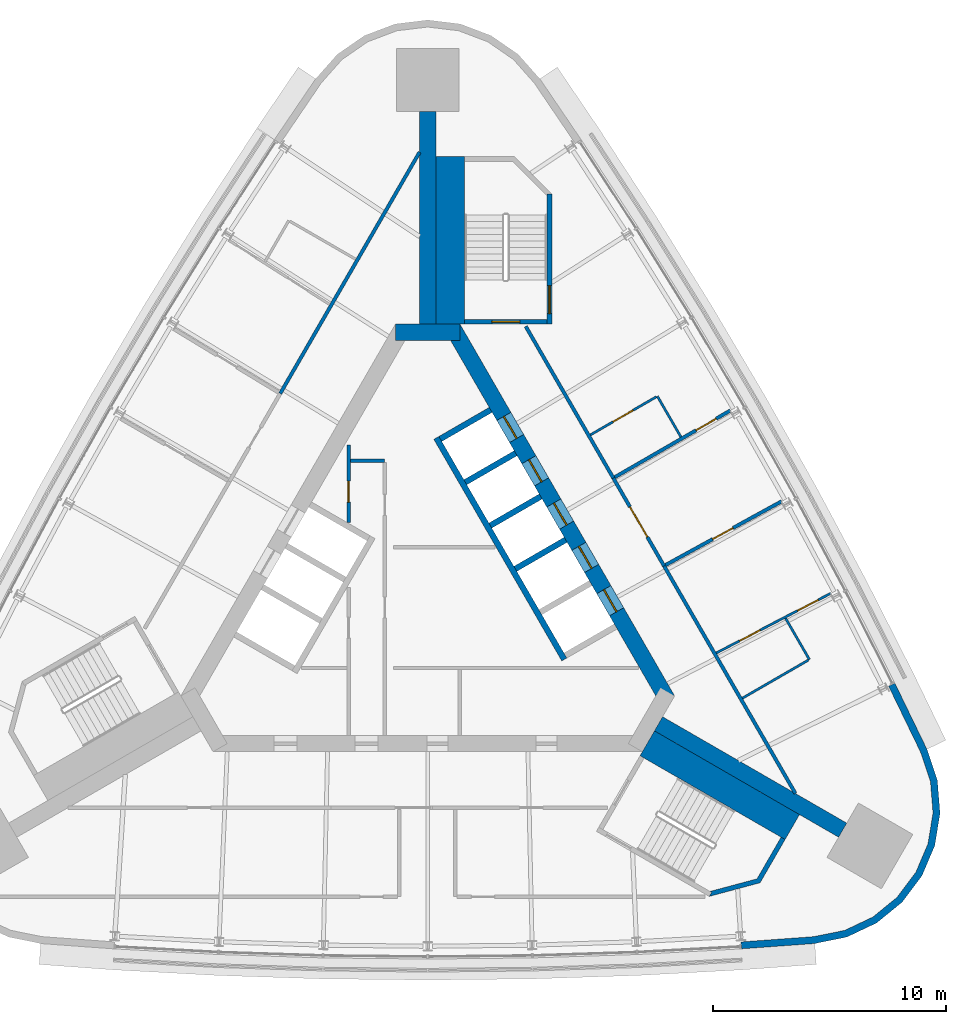
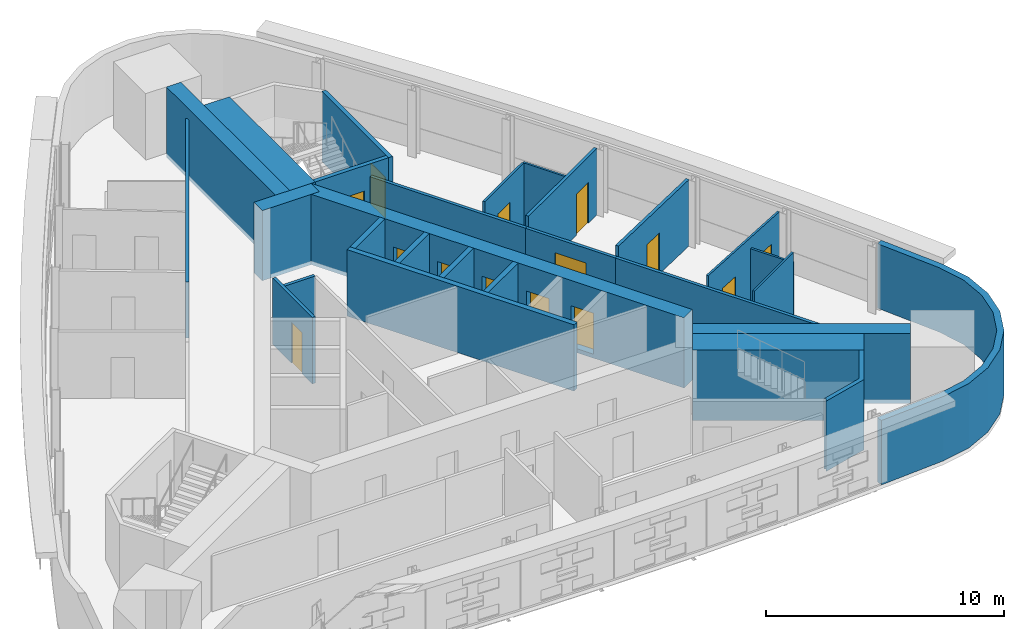
# One storey, part 8 of 10: 28 walls, 14 doors, 14 openings.
"""IFC4 building model written with IfcOpenShell, lengths in metres."""

from ifc_helpers import new_model, si_unit, direction, frame, frame_2d, origin, place, context, subcontext, project, spatial, polyline, rectangle, outline, extrude, material, layer, layer_set, type_object, element, fill, save


model = new_model("IFC4")

# Units and contexts
model_context = context("Model", 3, precision=1e-05, world=origin(), true_north=direction((0.0, 1.0)))
body_context = subcontext(model_context, "Body", "Model", "MODEL_VIEW")
ifc_project = project(units=[si_unit("LENGTHUNIT", "METRE"), si_unit("AREAUNIT", "SQUARE_METRE"), si_unit("VOLUMEUNIT", "CUBIC_METRE"), si_unit("PLANEANGLEUNIT", "RADIAN"), si_unit("MASSUNIT", "GRAM", prefix="KILO")], contexts=[model_context])

# Site, building, storey
site_placement = place(None, origin())
site = spatial("IfcSite", under=ifc_project, at=site_placement, CompositionType="ELEMENT")
building_placement = place(site_placement, origin())
building = spatial("IfcBuilding", under=site, at=building_placement, Name="Noor Cloister Tower", CompositionType="ELEMENT")
storey_placement = place(building_placement, frame((0.0, 0.0, 195.89990234375)))
storey = spatial("IfcBuildingStorey", under=building, at=storey_placement, Name="L50", CompositionType="ELEMENT", Elevation=195.89990234375)

# Walls
ifc_material_1 = material(Name="Concrete C70/85", Category="concrete")
ifc_layer_1 = layer(ifc_material_1, 0.699951171875)
ifc_layer_set_1 = layer_set([ifc_layer_1], Name="Buttress wall 700 C70/85")
wall_type_1 = type_object("IfcWallType", Name="Buttress wall 700 C70/85", PredefinedType="SHEAR", material=ifc_layer_set_1)
wall_1_placement = place(storey_placement, frame((0.0, 11.456298828125, -0.199951171875), z_axis=(0.0, 0.0, 1.0), x_axis=(0.0, 1.0, 0.0)))
element("IfcWall", 1, at=wall_1_placement, inside=storey, type_object=wall_type_1, Name="Buttress wall N L50", PredefinedType="SHEAR", context=body_context, shape_type="SweptSolid", body=[
    extrude(rectangle(XDim=9.144775390625, YDim=0.699951171875, at=frame_2d((4.572265625, 0.0))), origin(), (0.0, 0.0, 1.0), 3.60009765625),
])
wall_2_placement = place(storey_placement, frame((9.921630859375, -5.728271484375, -0.199951171875), z_axis=(0.0, 0.0, 1.0), x_axis=(0.866026421479, -0.499998237297, 0.0)))
element("IfcWall", 2, at=wall_2_placement, inside=storey, type_object=wall_type_1, Name="Buttress wall SE L50", PredefinedType="SHEAR", context=body_context, shape_type="SweptSolid", body=[
    extrude(rectangle(XDim=9.14453125, YDim=0.699951171875, at=frame_2d((4.572265625, 0.0))), origin(), (0.0, 0.0, 1.0), 3.60009765625),
])

# Wall, opening, door
ifc_material_2 = material(Name="Concrete C30/37", Category="concrete")
ifc_layer_2 = layer(ifc_material_2, 0.14990234375)
ifc_layer_set_2 = layer_set([ifc_layer_2], Name="Core partition 150 C30/37")
wall_type_2 = type_object("IfcWallType", Name="Core partition 150 C30/37", PredefinedType="PARTITIONING", material=ifc_layer_set_2)
wall_3_placement = place(storey_placement, frame((-3.40380859375, 6.260986328125, 0.0), z_axis=(0.0, 0.0, 1.0), x_axis=(0.0, -1.0, 0.0)))
wall_3 = element("IfcWall", 3, at=wall_3_placement, inside=storey, type_object=wall_type_2, Name="Core room partition L50 3", PredefinedType="PARTITIONING", context=body_context, shape_type="SweptSolid", body=[
    extrude(rectangle(XDim=3.3271484375, YDim=0.14990234375, at=frame_2d((1.66357421875, 0.0))), origin(), (0.0, 0.0, 1.0), 3.400146484375),
])
opening_1_placement = place(wall_3_placement, frame((1.55712890625, 0.0, 0.0)))
opening_1 = element("IfcOpeningElement", 4, at=opening_1_placement, cuts=wall_3, Name="Opening L50-907", PredefinedType="OPENING", context=body_context, shape_type="SweptSolid", body=[
    extrude(rectangle(XDim=0.89990234375, YDim=2.10009765625, at=frame_2d((0.449951171875, 1.050048828125))), frame((0.0, 0.0849609375, 0.0), z_axis=(0.0, -1.0, 0.0), x_axis=(1.0, 0.0, 0.0)), (0.0, 0.0, 1.0), 0.169921875),
])
ifc_material_3 = material(Name="Steel", Category="steel")
door_type_1 = type_object("IfcDoorType", Name="Core door 900 x 2100 FD120", OperationType="SINGLE_SWING_LEFT", PredefinedType="DOOR", material=ifc_material_3)
door_1_placement = place(opening_1_placement, origin())
door_1 = element("IfcDoor", 5, at=door_1_placement, inside=storey, type_object=door_type_1, Name="Core door 7 L50", OperationType="SINGLE_SWING_LEFT", OverallHeight=2.10009765625, OverallWidth=0.89990234375, PredefinedType="DOOR", context=body_context, shape_type="SweptSolid", body=[
    extrude(rectangle(XDim=0.89990234375, YDim=2.10009765625, at=frame_2d((0.449951171875, 1.050048828125))), frame((0.0, 0.02490234375, 0.0), z_axis=(0.0, -1.0, 0.0), x_axis=(1.0, 0.0, 0.0)), (0.0, 0.0, 1.0), 0.050048828125),
])
fill(opening_1, door_1)

# Wall
wall_4_placement = place(storey_placement, frame((-3.32861328125, 5.57177734375, 0.0), z_axis=(0.0, 0.0, 1.0), x_axis=(1.0, 0.0, 0.0)))
element("IfcWall", 6, at=wall_4_placement, inside=storey, type_object=wall_type_2, Name="Core room partition L50 4", PredefinedType="PARTITIONING", context=body_context, shape_type="SweptSolid", body=[
    extrude(rectangle(XDim=1.474853515625, YDim=0.14990234375, at=frame_2d((0.7373046875, 0.0))), origin(), (0.0, 0.0, 1.0), 3.400146484375),
])

# Wall, openings, doors
ifc_material_4 = material(Name="Concrete C70/85", Category="concrete")
ifc_layer_3 = layer(ifc_material_4, 0.699951171875)
ifc_layer_set_3 = layer_set([ifc_layer_3], Name="Core wall 700 C70/85")
wall_type_3 = type_object("IfcWallType", Name="Core wall 700 C70/85", PredefinedType="SHEAR", material=ifc_layer_set_3)
wall_5_placement = place(storey_placement, frame((10.311279296875, -4.703125, -0.199951171875), z_axis=(0.0, 0.0, 1.0), x_axis=(-0.500001446645, 0.866024568562, 0.0)))
wall_5 = element("IfcWall", 7, at=wall_5_placement, inside=storey, type_object=wall_type_3, Name="Core wall L50 3", PredefinedType="SHEAR", context=body_context, shape_type="SweptSolid", body=[
    extrude(rectangle(XDim=18.45751953125, YDim=0.699951171875, at=frame_2d((9.228759765625, 0.0))), origin(), (0.0, 0.0, 1.0), 3.60009765625),
])
opening_2_placement = place(wall_5_placement, frame((4.378662109375, 0.0, 0.199951171875)))
opening_2 = element("IfcOpeningElement", 8, at=opening_2_placement, cuts=wall_5, Name="Opening L50-HR1", PredefinedType="OPENING", context=body_context, shape_type="SweptSolid", body=[
    extrude(rectangle(XDim=1.10009765625, YDim=2.10009765625, at=frame_2d((0.550048828125, 1.050048828125))), frame((0.0, 0.35986328125, 0.0), z_axis=(0.0, -1.0, 0.0), x_axis=(1.0, 0.0, 0.0)), (0.0, 0.0, 1.0), 0.719970703125),
])
opening_3_placement = place(wall_5_placement, frame((6.52880859375, 0.0, 0.199951171875)))
opening_3 = element("IfcOpeningElement", 9, at=opening_3_placement, cuts=wall_5, Name="Opening L50-HR2", PredefinedType="OPENING", context=body_context, shape_type="SweptSolid", body=[
    extrude(rectangle(XDim=1.10009765625, YDim=2.10009765625, at=frame_2d((0.550048828125, 1.050048828125))), frame((0.0, 0.35986328125, 0.0), z_axis=(0.0, -1.0, 0.0), x_axis=(1.0, 0.0, 0.0)), (0.0, 0.0, 1.0), 0.719970703125),
])
opening_4_placement = place(wall_5_placement, frame((8.6787109375, 0.0, 0.199951171875)))
opening_4 = element("IfcOpeningElement", 10, at=opening_4_placement, cuts=wall_5, Name="Opening L50-HR3", PredefinedType="OPENING", context=body_context, shape_type="SweptSolid", body=[
    extrude(rectangle(XDim=1.10009765625, YDim=2.10009765625, at=frame_2d((0.550048828125, 1.050048828125))), frame((0.0, 0.35986328125, 0.0), z_axis=(0.0, -1.0, 0.0), x_axis=(1.0, 0.0, 0.0)), (0.0, 0.0, 1.0), 0.719970703125),
])
opening_5_placement = place(wall_5_placement, frame((10.82861328125, 0.0, 0.199951171875)))
opening_5 = element("IfcOpeningElement", 11, at=opening_5_placement, cuts=wall_5, Name="Opening L50-HR4", PredefinedType="OPENING", context=body_context, shape_type="SweptSolid", body=[
    extrude(rectangle(XDim=1.10009765625, YDim=2.10009765625, at=frame_2d((0.550048828125, 1.050048828125))), frame((0.0, 0.35986328125, 0.0), z_axis=(0.0, -1.0, 0.0), x_axis=(1.0, 0.0, 0.0)), (0.0, 0.0, 1.0), 0.719970703125),
])
opening_6_placement = place(wall_5_placement, frame((12.978759765625, 0.0, 0.199951171875)))
opening_6 = element("IfcOpeningElement", 12, at=opening_6_placement, cuts=wall_5, Name="Opening L50-HR5", PredefinedType="OPENING", context=body_context, shape_type="SweptSolid", body=[
    extrude(rectangle(XDim=1.10009765625, YDim=2.10009765625, at=frame_2d((0.550048828125, 1.050048828125))), frame((0.0, 0.35986328125, 0.0), z_axis=(0.0, -1.0, 0.0), x_axis=(1.0, 0.0, 0.0)), (0.0, 0.0, 1.0), 0.719970703125),
])
ifc_material_5 = material(Name="Stainless steel", Category="steel")
door_type_2 = type_object("IfcDoorType", Name="Lift landing door 1100 x 2100", OperationType="DOUBLE_DOOR_SLIDING", PredefinedType="DOOR", material=ifc_material_5)
door_2_placement = place(opening_2_placement, origin())
door_2 = element("IfcDoor", 13, at=door_2_placement, inside=storey, type_object=door_type_2, Name="Landing door HR1 L50", OperationType="DOUBLE_DOOR_SLIDING", OverallHeight=2.10009765625, OverallWidth=1.10009765625, PredefinedType="DOOR", context=body_context, shape_type="SweptSolid", body=[
    extrude(rectangle(XDim=1.10009765625, YDim=2.10009765625, at=frame_2d((0.550048828125, 1.050048828125))), frame((0.0, 0.02490234375, 0.0), z_axis=(0.0, -1.0, 0.0), x_axis=(1.0, 0.0, 0.0)), (0.0, 0.0, 1.0), 0.050048828125),
])
fill(opening_2, door_2)
door_3_placement = place(opening_3_placement, origin())
door_3 = element("IfcDoor", 14, at=door_3_placement, inside=storey, type_object=door_type_2, Name="Landing door HR2 L50", OperationType="DOUBLE_DOOR_SLIDING", OverallHeight=2.10009765625, OverallWidth=1.10009765625, PredefinedType="DOOR", context=body_context, shape_type="SweptSolid", body=[
    extrude(rectangle(XDim=1.10009765625, YDim=2.10009765625, at=frame_2d((0.550048828125, 1.050048828125))), frame((0.0, 0.02490234375, 0.0), z_axis=(0.0, -1.0, 0.0), x_axis=(1.0, 0.0, 0.0)), (0.0, 0.0, 1.0), 0.050048828125),
])
fill(opening_3, door_3)
door_4_placement = place(opening_4_placement, origin())
door_4 = element("IfcDoor", 15, at=door_4_placement, inside=storey, type_object=door_type_2, Name="Landing door HR3 L50", OperationType="DOUBLE_DOOR_SLIDING", OverallHeight=2.10009765625, OverallWidth=1.10009765625, PredefinedType="DOOR", context=body_context, shape_type="SweptSolid", body=[
    extrude(rectangle(XDim=1.10009765625, YDim=2.10009765625, at=frame_2d((0.550048828125, 1.050048828125))), frame((0.0, 0.02490234375, 0.0), z_axis=(0.0, -1.0, 0.0), x_axis=(1.0, 0.0, 0.0)), (0.0, 0.0, 1.0), 0.050048828125),
])
fill(opening_4, door_4)
door_5_placement = place(opening_5_placement, origin())
door_5 = element("IfcDoor", 16, at=door_5_placement, inside=storey, type_object=door_type_2, Name="Landing door HR4 L50", OperationType="DOUBLE_DOOR_SLIDING", OverallHeight=2.10009765625, OverallWidth=1.10009765625, PredefinedType="DOOR", context=body_context, shape_type="SweptSolid", body=[
    extrude(rectangle(XDim=1.10009765625, YDim=2.10009765625, at=frame_2d((0.550048828125, 1.050048828125))), frame((0.0, 0.02490234375, 0.0), z_axis=(0.0, -1.0, 0.0), x_axis=(1.0, 0.0, 0.0)), (0.0, 0.0, 1.0), 0.050048828125),
])
fill(opening_5, door_5)
door_6_placement = place(opening_6_placement, origin())
door_6 = element("IfcDoor", 17, at=door_6_placement, inside=storey, type_object=door_type_2, Name="Landing door HR5 L50", OperationType="DOUBLE_DOOR_SLIDING", OverallHeight=2.10009765625, OverallWidth=1.10009765625, PredefinedType="DOOR", context=body_context, shape_type="SweptSolid", body=[
    extrude(rectangle(XDim=1.10009765625, YDim=2.10009765625, at=frame_2d((0.550048828125, 1.050048828125))), frame((0.0, 0.02490234375, 0.0), z_axis=(0.0, -1.0, 0.0), x_axis=(1.0, 0.0, 0.0)), (0.0, 0.0, 1.0), 0.050048828125),
])
fill(opening_6, door_6)

# Walls
wall_6_placement = place(storey_placement, frame((1.3857421875, 11.1064453125, -0.199951171875), z_axis=(0.0, 0.0, 1.0), x_axis=(-1.0, 0.0, 0.0)))
element("IfcWall", 18, at=wall_6_placement, inside=storey, type_object=wall_type_3, Name="Core wall L50 4", PredefinedType="SHEAR", context=body_context, shape_type="SweptSolid", body=[
    extrude(rectangle(XDim=2.771484375, YDim=0.699951171875, at=frame_2d((1.3857421875, 0.0))), origin(), (0.0, 0.0, 1.0), 3.60009765625),
])
ifc_material_6 = material(Name="Fire-rated gypsum board partition on steel studs, 150 mm", Category="steel")
ifc_layer_4 = layer(ifc_material_6, 0.14990234375)
ifc_layer_set_4 = layer_set([ifc_layer_4], Name="Fire lobby wall 150")
wall_type_4 = type_object("IfcWallType", Name="Fire lobby wall 150", PredefinedType="PARTITIONING", material=ifc_layer_set_4)
wall_7_placement = place(storey_placement, frame((-0.35009765625, 18.85009765625, 0.0), z_axis=(0.0, 0.0, 1.0), x_axis=(-0.500000553364, -0.866025084299, 0.0)))
element("IfcWall", 19, at=wall_7_placement, inside=storey, type_object=wall_type_4, Name="Wall L50-W18", PredefinedType="PARTITIONING", context=body_context, shape_type="SweptSolid", body=[
    extrude(rectangle(XDim=11.9814453125, YDim=0.14990234375, at=frame_2d((5.99072265625, 0.0))), origin(), (0.0, 0.0, 1.0), 2.85205078125),
])
ifc_material_7 = material(Name="Gypsum board partition on steel studs, 150 mm", Category="steel")
ifc_layer_5 = layer(ifc_material_7, 0.14990234375)
ifc_layer_set_5 = layer_set([ifc_layer_5], Name="Flat wall 150")
wall_type_5 = type_object("IfcWallType", Name="Flat wall 150", PredefinedType="PARTITIONING", material=ifc_layer_set_5)
wall_8_placement = place(storey_placement, frame((15.806884765625, -8.721923828125, 0.0), z_axis=(0.0, 0.0, 1.0), x_axis=(-0.500004300164, 0.866022921069, 0.0)))
element("IfcWall", 20, at=wall_8_placement, inside=storey, type_object=wall_type_5, Name="Wall L50-W01", PredefinedType="PARTITIONING", context=body_context, shape_type="SweptSolid", body=[
    extrude(rectangle(XDim=11.29736328125, YDim=0.14990234375, at=frame_2d((5.648681640625, 0.0))), origin(), (0.0, 0.0, 1.0), 2.85205078125),
])
wall_9_placement = place(storey_placement, frame((7.978515625, 4.83740234375, 0.0), z_axis=(0.0, 0.0, 1.0), x_axis=(-0.500014427086, 0.866017074142, 0.0)))
element("IfcWall", 21, at=wall_9_placement, inside=storey, type_object=wall_type_5, Name="Wall L50-W02", PredefinedType="PARTITIONING", context=body_context, shape_type="SweptSolid", body=[
    extrude(rectangle(XDim=7.527587890625, YDim=0.14990234375, at=frame_2d((3.763671875, 0.0))), origin(), (0.0, 0.0, 1.0), 2.85205078125),
])

# Wall, opening, door
wall_10_placement = place(storey_placement, frame((15.215576171875, 3.83740234375, 0.0), z_axis=(0.0, 0.0, 1.0), x_axis=(-0.876645576733, -0.48113670905, 0.0)))
wall_10 = element("IfcWall", 22, at=wall_10_placement, inside=storey, type_object=wall_type_5, Name="Wall L50-W03", PredefinedType="PARTITIONING", context=body_context, shape_type="SweptSolid", body=[
    extrude(rectangle(XDim=5.69384765625, YDim=0.14990234375, at=frame_2d((2.846923828125, 0.0))), origin(), (0.0, 0.0, 1.0), 3.400146484375),
])
opening_7_placement = place(wall_10_placement, frame((2.384521484375, 0.0, 0.0)))
opening_7 = element("IfcOpeningElement", 23, at=opening_7_placement, cuts=wall_10, Name="Opening L50-004", PredefinedType="OPENING", context=body_context, shape_type="SweptSolid", body=[
    extrude(rectangle(XDim=1.0, YDim=2.10009765625, at=frame_2d((0.5, 1.050048828125))), frame((0.0, 0.0849609375, 0.0), z_axis=(0.0, -1.0, 0.0), x_axis=(1.0, 0.0, 0.0)), (0.0, 0.0, 1.0), 0.169921875),
])
ifc_material_8 = material(Name="Timber door leaf with steel frame", Category="steel")
door_type_3 = type_object("IfcDoorType", Name="Flat entrance door 1000", OperationType="NOTDEFINED", PredefinedType="DOOR", material=ifc_material_8)
door_7_placement = place(opening_7_placement, origin())
door_7 = element("IfcDoor", 24, at=door_7_placement, inside=storey, type_object=door_type_3, Name="Door L50-004", OperationType="SINGLE_SWING_RIGHT", OverallHeight=2.10009765625, OverallWidth=1.0, PredefinedType="DOOR", context=body_context, shape_type="SweptSolid", body=[
    extrude(rectangle(XDim=1.0, YDim=2.10009765625, at=frame_2d((0.5, 1.050048828125))), frame((0.0, 0.02490234375, 0.0), z_axis=(0.0, -1.0, 0.0), x_axis=(1.0, 0.0, 0.0)), (0.0, 0.0, 1.0), 0.050048828125),
])
fill(opening_7, door_7)

wall_11_placement = place(storey_placement, frame((13.01171875, 7.7431640625, 0.0), z_axis=(0.0, 0.0, 1.0), x_axis=(-0.866026840724, -0.499997511139, 0.0)))
wall_11 = element("IfcWall", 25, at=wall_11_placement, inside=storey, type_object=wall_type_5, Name="Wall L50-W04", PredefinedType="PARTITIONING", context=body_context, shape_type="SweptSolid", body=[
    extrude(rectangle(XDim=5.73681640625, YDim=0.14990234375, at=frame_2d((2.868408203125, 0.0))), origin(), (0.0, 0.0, 1.0), 3.400146484375),
])
opening_8_placement = place(wall_11_placement, frame((0.705810546875, 0.0, 0.0)))
opening_8 = element("IfcOpeningElement", 26, at=opening_8_placement, cuts=wall_11, Name="Opening L50-006", PredefinedType="OPENING", context=body_context, shape_type="SweptSolid", body=[
    extrude(rectangle(XDim=1.0, YDim=2.10009765625, at=frame_2d((0.5, 1.050048828125))), frame((0.0, 0.0849609375, 0.0), z_axis=(0.0, -1.0, 0.0), x_axis=(1.0, 0.0, 0.0)), (0.0, 0.0, 1.0), 0.169921875),
])
door_8_placement = place(opening_8_placement, origin())
door_8 = element("IfcDoor", 27, at=door_8_placement, inside=storey, type_object=door_type_3, Name="Door L50-006", OperationType="SINGLE_SWING_RIGHT", OverallHeight=2.10009765625, OverallWidth=1.0, PredefinedType="DOOR", context=body_context, shape_type="SweptSolid", body=[
    extrude(rectangle(XDim=1.0, YDim=2.10009765625, at=frame_2d((0.5, 1.050048828125))), frame((0.0, 0.02490234375, 0.0), z_axis=(0.0, -1.0, 0.0), x_axis=(1.0, 0.0, 0.0)), (0.0, 0.0, 1.0), 0.050048828125),
])
fill(opening_8, door_8)

wall_12_placement = place(storey_placement, frame((10.158203125, 1.061767578125, 0.0), z_axis=(0.0, 0.0, 1.0), x_axis=(-0.499969679245, 0.866042908773, 0.0)))
wall_12 = element("IfcWall", 28, at=wall_12_placement, inside=storey, type_object=wall_type_5, Name="Wall L50-W05", PredefinedType="PARTITIONING", context=body_context, shape_type="SweptSolid", body=[
    extrude(rectangle(XDim=4.359619140625, YDim=0.14990234375, at=frame_2d((2.1796875, 0.0))), origin(), (0.0, 0.0, 1.0), 2.85205078125),
])
opening_9_placement = place(wall_12_placement, frame((1.429931640625, 0.0, 0.0)))
opening_9 = element("IfcOpeningElement", 29, at=opening_9_placement, cuts=wall_12, Name="Opening L50-001", PredefinedType="OPENING", context=body_context, shape_type="SweptSolid", body=[
    extrude(rectangle(XDim=1.5, YDim=2.10009765625, at=frame_2d((0.75, 1.050048828125))), frame((0.0, 0.0849609375, 0.0), z_axis=(0.0, -1.0, 0.0), x_axis=(1.0, 0.0, 0.0)), (0.0, 0.0, 1.0), 0.169921875),
])
ifc_material_9 = material(Name="Timber door leaf with steel frame", Category="steel")
door_type_4 = type_object("IfcDoorType", Name="Double door 1500 FD60", OperationType="NOTDEFINED", PredefinedType="DOOR", material=ifc_material_9)
door_9_placement = place(opening_9_placement, origin())
door_9 = element("IfcDoor", 30, at=door_9_placement, inside=storey, type_object=door_type_4, Name="Door L50-001", OperationType="DOUBLE_DOOR_SINGLE_SWING", OverallHeight=2.10009765625, OverallWidth=1.5, PredefinedType="DOOR", context=body_context, shape_type="SweptSolid", body=[
    extrude(rectangle(XDim=1.5, YDim=2.10009765625, at=frame_2d((0.75, 1.050048828125))), frame((0.0, 0.02490234375, 0.0), z_axis=(0.0, -1.0, 0.0), x_axis=(1.0, 0.0, 0.0)), (0.0, 0.0, 1.0), 0.050048828125),
])
fill(opening_9, door_9)

# Wall
ifc_material_10 = material(Name="Limestone", Category="masonry")
ifc_layer_6 = layer(ifc_material_10, 0.300048828125)
ifc_layer_set_6 = layer_set([ifc_layer_6], Name="Limestone cladding 300")
wall_type_6 = type_object("IfcWallType", Name="Limestone cladding 300", PredefinedType="NOTDEFINED", material=ifc_layer_set_6)
wall_13_placement = place(storey_placement, origin())
element("IfcWall", 31, at=wall_13_placement, inside=storey, type_object=wall_type_6, Name="Limestone pier cladding L50 2.1", PredefinedType="NOTDEFINED", context=body_context, shape_type="SweptSolid", body=[
    extrude(outline(polyline([(13.490478515625, -15.404052734375), (16.640869140625, -15.17529296875), (18.025146484375, -14.893310546875), (19.301513671875, -14.2880859375), (20.39599609375, -13.394775390625), (21.24462890625, -12.265625), (21.798095703125, -10.966064453125), (22.024658203125, -9.571533203125), (21.910400390625, -8.16357421875), (21.462646484375, -6.823974609375), (20.085693359375, -3.98095703125), (19.815673828125, -4.11181640625), (21.184326171875, -6.937255859375), (21.614501953125, -8.22412109375), (21.72265625, -9.5595703125), (21.5078125, -10.8818359375), (20.98291015625, -12.114501953125), (20.177978515625, -13.185546875), (19.14013671875, -14.032470703125), (17.929443359375, -14.6064453125), (16.60009765625, -14.87744140625), (13.46875, -15.10498046875), (13.490478515625, -15.404052734375)])), origin(), (0.0, 0.0, 1.0), 3.300048828125),
])

# Wall, openings, doors
ifc_material_11 = material(Name="Gypsum board partition on steel studs, 100 mm", Category="steel")
ifc_layer_7 = layer(ifc_material_11, 0.10009765625)
ifc_layer_set_7 = layer_set([ifc_layer_7], Name="Partition 100")
wall_type_7 = type_object("IfcWallType", Name="Partition 100", PredefinedType="PARTITIONING", material=ifc_layer_set_7)
wall_14_placement = place(storey_placement, frame((17.33447265625, -0.115234375, 0.0), z_axis=(0.0, 0.0, 1.0), x_axis=(-0.886851071155, -0.462055383684, 0.0)))
wall_14 = element("IfcWall", 32, at=wall_14_placement, inside=storey, type_object=wall_type_7, Name="Wall L50-W06", PredefinedType="PARTITIONING", context=body_context, shape_type="SweptSolid", body=[
    extrude(rectangle(XDim=5.556396484375, YDim=0.10009765625, at=frame_2d((2.7783203125, 0.0))), origin(), (0.0, 0.0, 1.0), 3.400146484375),
])
opening_10_placement = place(wall_14_placement, frame((0.6142578125, 0.0, 0.0)))
opening_10 = element("IfcOpeningElement", 33, at=opening_10_placement, cuts=wall_14, Name="Opening L50-002", PredefinedType="OPENING", context=body_context, shape_type="SweptSolid", body=[
    extrude(rectangle(XDim=1.0, YDim=2.10009765625, at=frame_2d((0.5, 1.050048828125))), frame((0.0, 0.06005859375, 0.0), z_axis=(0.0, -1.0, 0.0), x_axis=(1.0, 0.0, 0.0)), (0.0, 0.0, 1.0), 0.1201171875),
])
opening_11_placement = place(wall_14_placement, frame((3.429931640625, 0.0, 0.0)))
opening_11 = element("IfcOpeningElement", 34, at=opening_11_placement, cuts=wall_14, Name="Opening L50-003", PredefinedType="OPENING", context=body_context, shape_type="SweptSolid", body=[
    extrude(rectangle(XDim=1.0, YDim=2.10009765625, at=frame_2d((0.5, 1.050048828125))), frame((0.0, 0.06005859375, 0.0), z_axis=(0.0, -1.0, 0.0), x_axis=(1.0, 0.0, 0.0)), (0.0, 0.0, 1.0), 0.1201171875),
])
ifc_material_12 = material(Name="Timber door leaf with steel frame", Category="steel")
door_type_5 = type_object("IfcDoorType", Name="Interior door 1000", OperationType="NOTDEFINED", PredefinedType="DOOR", material=ifc_material_12)
door_10_placement = place(opening_10_placement, origin())
door_10 = element("IfcDoor", 35, at=door_10_placement, inside=storey, type_object=door_type_5, Name="Door L50-002", OperationType="SINGLE_SWING_RIGHT", OverallHeight=2.10009765625, OverallWidth=1.0, PredefinedType="DOOR", context=body_context, shape_type="SweptSolid", body=[
    extrude(rectangle(XDim=1.0, YDim=2.10009765625, at=frame_2d((0.5, 1.050048828125))), frame((0.0, 0.02490234375, 0.0), z_axis=(0.0, -1.0, 0.0), x_axis=(1.0, 0.0, 0.0)), (0.0, 0.0, 1.0), 0.050048828125),
])
fill(opening_10, door_10)
door_11_placement = place(opening_11_placement, origin())
door_11 = element("IfcDoor", 36, at=door_11_placement, inside=storey, type_object=door_type_5, Name="Door L50-003", OperationType="SINGLE_SWING_LEFT", OverallHeight=2.10009765625, OverallWidth=1.0, PredefinedType="DOOR", context=body_context, shape_type="SweptSolid", body=[
    extrude(rectangle(XDim=1.0, YDim=2.10009765625, at=frame_2d((0.5, 1.050048828125))), frame((0.0, 0.02490234375, 0.0), z_axis=(0.0, -1.0, 0.0), x_axis=(1.0, 0.0, 0.0)), (0.0, 0.0, 1.0), 0.050048828125),
])
fill(opening_11, door_11)

# Walls
wall_15_placement = place(storey_placement, frame((15.38330078125, -1.188232421875, 0.0), z_axis=(0.0, 0.0, 1.0), x_axis=(0.500007699544, -0.866020958405, 0.0)))
element("IfcWall", 37, at=wall_15_placement, inside=storey, type_object=wall_type_7, Name="Wall L50-W07", PredefinedType="PARTITIONING", context=body_context, shape_type="SweptSolid", body=[
    extrude(rectangle(XDim=2.0498046875, YDim=0.10009765625, at=frame_2d((1.02490234375, 0.0))), origin(), (0.0, 0.0, 1.0), 2.85205078125),
])
wall_16_placement = place(storey_placement, frame((16.364990234375, -2.988525390625, 0.0), z_axis=(0.0, 0.0, 1.0), x_axis=(-0.866027924134, -0.499995634601, 0.0)))
element("IfcWall", 38, at=wall_16_placement, inside=storey, type_object=wall_type_7, Name="Wall L50-W08", PredefinedType="PARTITIONING", context=body_context, shape_type="SweptSolid", body=[
    extrude(rectangle(XDim=3.27490234375, YDim=0.10009765625, at=frame_2d((1.637451171875, 0.0))), origin(), (0.0, 0.0, 1.0), 3.400146484375),
])
wall_17_placement = place(storey_placement, frame((10.885498046875, 6.602294921875, 0.0), z_axis=(0.0, 0.0, 1.0), x_axis=(-0.499990325971, 0.866030989016, 0.0)))
element("IfcWall", 39, at=wall_17_placement, inside=storey, type_object=wall_type_7, Name="Wall L50-W09", PredefinedType="PARTITIONING", context=body_context, shape_type="SweptSolid", body=[
    extrude(rectangle(XDim=2.02490234375, YDim=0.10009765625, at=frame_2d((1.012451171875, 0.0))), origin(), (0.0, 0.0, 1.0), 3.400146484375),
])

# Wall, opening, door
wall_18_placement = place(storey_placement, frame((9.82958984375, 8.3310546875, 0.0), z_axis=(0.0, 0.0, 1.0), x_axis=(-0.865995643347, -0.500051543047, 0.0)))
wall_18 = element("IfcWall", 40, at=wall_18_placement, inside=storey, type_object=wall_type_7, Name="Wall L50-W10", PredefinedType="PARTITIONING", context=body_context, shape_type="SweptSolid", body=[
    extrude(rectangle(XDim=3.275146484375, YDim=0.10009765625, at=frame_2d((1.6376953125, 0.0))), origin(), (0.0, 0.0, 1.0), 3.400146484375),
])
opening_12_placement = place(wall_18_placement, frame((1.14990234375, 0.0, 0.0)))
opening_12 = element("IfcOpeningElement", 41, at=opening_12_placement, cuts=wall_18, Name="Opening L50-005", PredefinedType="OPENING", context=body_context, shape_type="SweptSolid", body=[
    extrude(rectangle(XDim=1.0, YDim=2.10009765625, at=frame_2d((0.5, 1.050048828125))), frame((0.0, 0.06005859375, 0.0), z_axis=(0.0, -1.0, 0.0), x_axis=(1.0, 0.0, 0.0)), (0.0, 0.0, 1.0), 0.1201171875),
])
door_12_placement = place(opening_12_placement, origin())
door_12 = element("IfcDoor", 42, at=door_12_placement, inside=storey, type_object=door_type_5, Name="Door L50-005", OperationType="SINGLE_SWING_LEFT", OverallHeight=2.10009765625, OverallWidth=1.0, PredefinedType="DOOR", context=body_context, shape_type="SweptSolid", body=[
    extrude(rectangle(XDim=1.0, YDim=2.10009765625, at=frame_2d((0.5, 1.050048828125))), frame((0.0, 0.02490234375, 0.0), z_axis=(0.0, -1.0, 0.0), x_axis=(1.0, 0.0, 0.0)), (0.0, 0.0, 1.0), 0.050048828125),
])
fill(opening_12, door_12)

# Walls
ifc_material_13 = material(Name="Concrete C70/85", Category="concrete")
ifc_layer_8 = layer(ifc_material_13, 0.25)
ifc_layer_set_8 = layer_set([ifc_layer_8], Name="Shaft wall 250 C70/85")
wall_type_8 = type_object("IfcWallType", Name="Shaft wall 250 C70/85", PredefinedType="PARTITIONING", material=ifc_layer_set_8)
wall_19_placement = place(storey_placement, frame((5.931396484375, 2.18310546875, -0.199951171875), z_axis=(0.0, 0.0, 1.0), x_axis=(-0.866047370643, -0.499961950354, 0.0)))
element("IfcWall", 43, at=wall_19_placement, inside=storey, type_object=wall_type_8, Name="Lift shaft wall L50 NE 3", PredefinedType="PARTITIONING", context=body_context, shape_type="SweptSolid", body=[
    extrude(rectangle(XDim=2.500244140625, YDim=0.25, at=frame_2d((1.25, 0.0))), origin(), (0.0, 0.0, 1.0), 3.60009765625),
])
for number, where, z_axis, x_axis, name in (
    (44, (4.856201171875, 4.045166015625, -0.199951171875), (0.0, 0.0, 1.0), (-0.866022959057, -0.500004234368, 0.0), "Lift shaft wall L50 NE 4"),
    (45, (3.78125, 5.906982421875, -0.199951171875), (0.0, 0.0, 1.0), (-0.866022959057, -0.500004234368, 0.0), "Lift shaft wall L50 NE 5"),
    (46, (2.706298828125, 7.76904296875, -0.199951171875), (0.0, 0.0, 1.0), (-0.866022959057, -0.500004234368, 0.0), "Lift shaft wall L50 NE 6"),
):
    element("IfcWall", number, at=place(storey_placement, frame(where, z_axis=z_axis, x_axis=x_axis)), inside=storey, type_object=wall_type_8, Name=name, PredefinedType="PARTITIONING", context=body_context, shape_type="SweptSolid", body=[
        extrude(rectangle(XDim=2.5, YDim=0.25, at=frame_2d((1.25, 0.0))), origin(), (0.0, 0.0, 1.0), 3.60009765625),
    ])
wall_20_placement = place(storey_placement, frame((5.870361328125, -2.96142578125, 0.0), z_axis=(0.0, 0.0, 1.0), x_axis=(-0.50000615651, 0.866021849293, 0.0)))
element("IfcWall", 47, at=wall_20_placement, inside=storey, type_object=wall_type_8, Name="Lift shaft back wall L50 NE", PredefinedType="PARTITIONING", context=body_context, shape_type="SweptSolid", body=[
    extrude(rectangle(XDim=10.999755859375, YDim=0.25, at=frame_2d((5.5, 0.0))), origin(), (0.0, 0.0, 1.0), 3.400146484375),
])
ifc_material_14 = material(Name="Concrete C70/85", Category="concrete")
ifc_layer_9 = layer(ifc_material_14, 1.236083984375)
ifc_layer_set_9 = layer_set([ifc_layer_9], Name="Stair enclosure wall 1236 C70/85")
wall_type_9 = type_object("IfcWallType", Name="Stair enclosure wall 1236 C70/85", PredefinedType="SHEAR", material=ifc_layer_set_9)
for number, where, z_axis, x_axis, name in (
    (48, (0.9677734375, 11.456298828125, -0.199951171875), (0.0, 0.0, 1.0), (0.0, 1.0, 0.0), "Stair enclosure wall ST1 L50 riser side"),
    (49, (9.4375, -6.56640625, -0.199951171875), (0.0, 0.0, 1.0), (0.866026919366, -0.499997374926, 0.0), "Stair enclosure wall ST3 L50 riser side"),
):
    element("IfcWall", number, at=place(storey_placement, frame(where, z_axis=z_axis, x_axis=x_axis)), inside=storey, type_object=wall_type_9, Name=name, PredefinedType="SHEAR", context=body_context, shape_type="SweptSolid", body=[
        extrude(rectangle(XDim=7.2001953125, YDim=1.235595703125, at=frame_2d((3.60009765625, 0.0))), origin(), (0.0, 0.0, 1.0), 3.60009765625),
    ])

# Wall, opening, door
ifc_material_15 = material(Name="Concrete C70/85", Category="concrete")
ifc_layer_10 = layer(ifc_material_15, 0.199951171875)
ifc_layer_set_10 = layer_set([ifc_layer_10], Name="Stair enclosure wall 200 C70/85")
wall_type_10 = type_object("IfcWallType", Name="Stair enclosure wall 200 C70/85", PredefinedType="SHEAR", material=ifc_layer_set_10)
wall_21_placement = place(storey_placement, frame((5.135498046875, 11.556396484375, -0.199951171875), z_axis=(0.0, 0.0, 1.0), x_axis=(-1.0, 0.0, 0.0)))
wall_21 = element("IfcWall", 50, at=wall_21_placement, inside=storey, type_object=wall_type_10, Name="Stair enclosure wall ST1 L50 near end", PredefinedType="SHEAR", context=body_context, shape_type="SweptSolid", body=[
    extrude(rectangle(XDim=3.5498046875, YDim=0.199951171875, at=frame_2d((1.77490234375, 0.0))), origin(), (0.0, 0.0, 1.0), 3.60009765625),
])
opening_13_placement = place(wall_21_placement, frame((1.175048828125, 0.0, 0.199951171875)))
opening_13 = element("IfcOpeningElement", 51, at=opening_13_placement, cuts=wall_21, Name="Opening L50-ST1L", PredefinedType="OPENING", context=body_context, shape_type="SweptSolid", body=[
    extrude(rectangle(XDim=1.199951171875, YDim=2.10009765625, at=frame_2d((0.60009765625, 1.050048828125))), frame((0.0, 0.10986328125, 0.0), z_axis=(0.0, -1.0, 0.0), x_axis=(1.0, 0.0, 0.0)), (0.0, 0.0, 1.0), 0.219970703125),
])
ifc_material_16 = material(Name="Steel", Category="steel")
door_type_6 = type_object("IfcDoorType", Name="Stair door 1200 x 2100 FD120", OperationType="SINGLE_SWING_LEFT", PredefinedType="DOOR", material=ifc_material_16)
door_13_placement = place(opening_13_placement, origin())
door_13 = element("IfcDoor", 52, at=door_13_placement, inside=storey, type_object=door_type_6, Name="Stair door ST1 L50", OperationType="SINGLE_SWING_RIGHT", OverallHeight=2.10009765625, OverallWidth=1.199951171875, PredefinedType="DOOR", context=body_context, shape_type="SweptSolid", body=[
    extrude(rectangle(XDim=1.199951171875, YDim=2.10009765625, at=frame_2d((0.60009765625, 1.050048828125))), frame((0.0, 0.02490234375, 0.0), z_axis=(0.0, -1.0, 0.0), x_axis=(1.0, 0.0, 0.0)), (0.0, 0.0, 1.0), 0.050048828125),
])
fill(opening_13, door_13)

wall_22_placement = place(storey_placement, frame((5.235595703125, 11.456298828125, -0.199951171875), z_axis=(0.0, 0.0, 1.0), x_axis=(0.0, 1.0, 0.0)))
wall_22 = element("IfcWall", 53, at=wall_22_placement, inside=storey, type_object=wall_type_10, Name="Stair enclosure wall ST1 L50 outer side", PredefinedType="SHEAR", context=body_context, shape_type="SweptSolid", body=[
    extrude(rectangle(XDim=5.60009765625, YDim=0.199951171875, at=frame_2d((2.800048828125, 0.0))), origin(), (0.0, 0.0, 1.0), 3.60009765625),
])
opening_14_placement = place(wall_22_placement, frame((0.449951171875, 0.0, 0.199951171875)))
opening_14 = element("IfcOpeningElement", 54, at=opening_14_placement, cuts=wall_22, Name="Opening L50-ST1C", PredefinedType="OPENING", context=body_context, shape_type="SweptSolid", body=[
    extrude(rectangle(XDim=1.199951171875, YDim=2.10009765625, at=frame_2d((0.60009765625, 1.050048828125))), frame((0.0, 0.10986328125, 0.0), z_axis=(0.0, -1.0, 0.0), x_axis=(1.0, 0.0, 0.0)), (0.0, 0.0, 1.0), 0.219970703125),
])
door_14_placement = place(opening_14_placement, origin())
door_14 = element("IfcDoor", 55, at=door_14_placement, inside=storey, type_object=door_type_6, Name="Stair door ST1 L50", OperationType="SINGLE_SWING_LEFT", OverallHeight=2.10009765625, OverallWidth=1.199951171875, PredefinedType="DOOR", context=body_context, shape_type="SweptSolid", body=[
    extrude(rectangle(XDim=1.199951171875, YDim=2.10009765625, at=frame_2d((0.60009765625, 1.050048828125))), frame((0.0, 0.02490234375, 0.0), z_axis=(0.0, -1.0, 0.0), x_axis=(1.0, 0.0, 0.0)), (0.0, 0.0, 1.0), 0.050048828125),
])
fill(opening_14, door_14)

# Wall
ifc_material_17 = material(Name="Concrete C70/85", Category="concrete")
wall_type_11 = type_object("IfcWallType", Name="Stair far end wall C70/85", PredefinedType="SHEAR", material=ifc_material_17)
wall_23_placement = place(storey_placement, frame((0.0, 0.0, -0.199951171875)))
element("IfcWall", 56, at=wall_23_placement, inside=storey, type_object=wall_type_11, Name="Stair enclosure wall ST3 L50 far end", PredefinedType="SHEAR", context=body_context, shape_type="SweptSolid", body=[
    extrude(outline(polyline([(12.103515625, -13.14892578125), (14.2890625, -12.5634765625), (15.364013671875, -10.701416015625), (15.19091796875, -10.601318359375), (14.1572265625, -12.3916015625), (12.131591796875, -12.934326171875), (12.20361328125, -12.975830078125), (12.20361328125, -12.975830078125), (12.20361328125, -12.975830078125), (12.20361328125, -12.975830078125), (12.20361328125, -12.975830078125), (12.20361328125, -12.975830078125), (12.20361328125, -12.975830078125), (12.20361328125, -12.975830078125), (12.20361328125, -12.975830078125), (12.20361328125, -12.975830078125), (12.20361328125, -12.975830078125), (12.20361328125, -12.975830078125), (12.20361328125, -12.975830078125), (12.20361328125, -12.975830078125), (12.20361328125, -12.975830078125), (12.20361328125, -12.975830078125), (12.20361328125, -12.975830078125), (12.103515625, -13.14892578125)])), origin(), (0.0, 0.0, 1.0), 3.60009765625),
])

save(model, "model.ifc")
